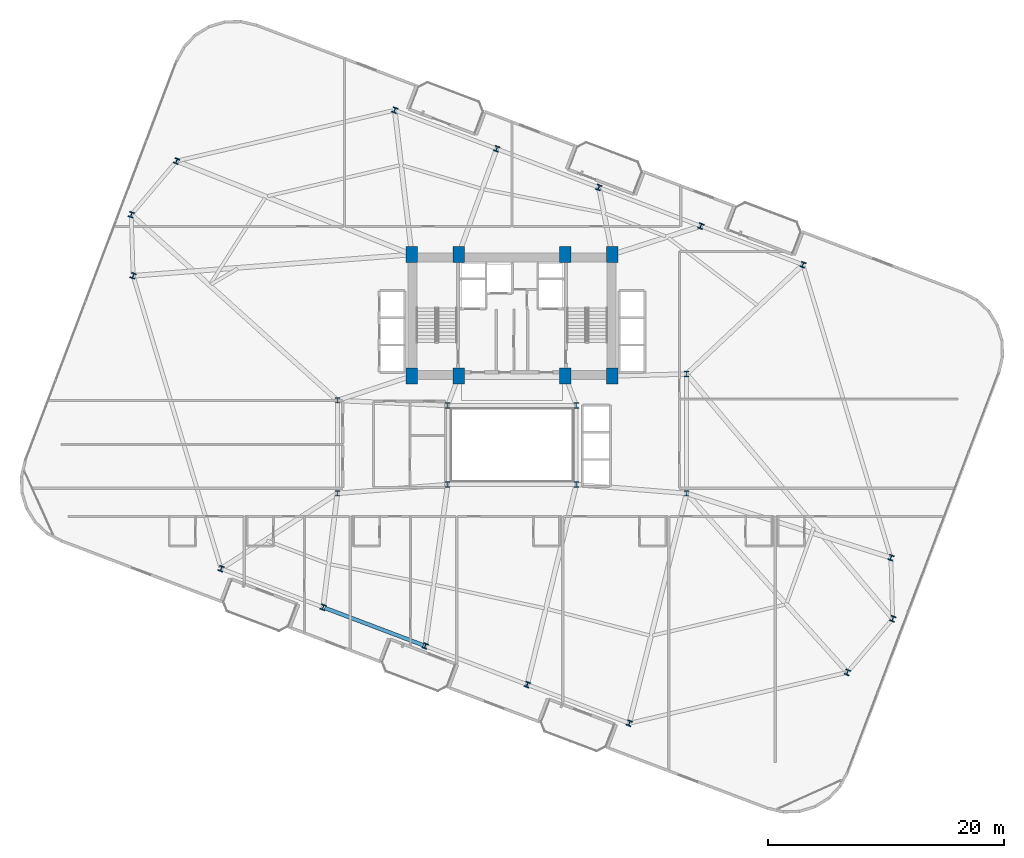
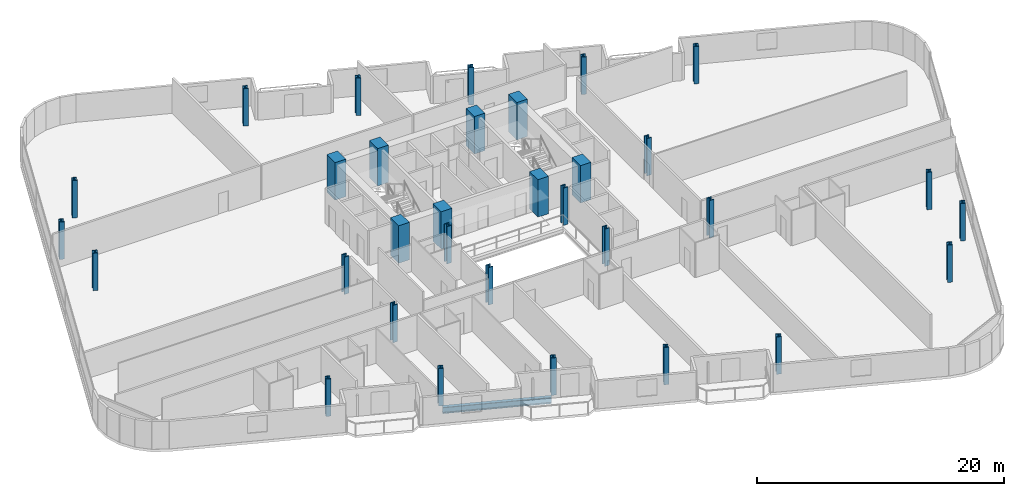
# One storey, part 1 of 25: 32 columns, 1 beam.
"""IFC4 building model written with IfcOpenShell, lengths in metres."""

from ifc_helpers import new_model, si_unit, direction, frame, origin, origin_2d, place, context, subcontext, project, spatial, rectangle, i_section, extrude, material, material_profile, profile_set, type_object, element, save


model = new_model("IFC4")

# Units and contexts
model_context = context("Model", 3, precision=1e-05, world=origin(), true_north=direction((0.0, 1.0)))
body_context = subcontext(model_context, "Body", "Model", "MODEL_VIEW")
ifc_project = project(units=[si_unit("LENGTHUNIT", "METRE"), si_unit("AREAUNIT", "SQUARE_METRE"), si_unit("VOLUMEUNIT", "CUBIC_METRE"), si_unit("PLANEANGLEUNIT", "RADIAN"), si_unit("MASSUNIT", "GRAM", prefix="KILO")], contexts=[model_context])

# Site, building, storey
site_placement = place(None, origin())
site = spatial("IfcSite", under=ifc_project, at=site_placement, CompositionType="ELEMENT")
building_placement = place(site_placement, origin())
building = spatial("IfcBuilding", under=site, at=building_placement, Name="Varnelok Gate Tower", CompositionType="ELEMENT")
storey_placement = place(building_placement, frame((0.0, 0.0, 76.199951171875)))
storey = spatial("IfcBuildingStorey", under=building, at=storey_placement, Name="L18", CompositionType="ELEMENT", Elevation=76.199951171875)

# Columns
ifc_material_1 = material(Name="Concrete C70/85", Category="concrete")
ifc_material_profile_1 = material_profile(ifc_material_1, rectangle(XDim=1.0, YDim=1.35009765625, at=origin_2d()), Name="RC1350X1000")
ifc_profile_set_1 = profile_set([ifc_material_profile_1], Name="Concrete C70/85")
column_type_1 = type_object("IfcColumnType", Name="COL-RC1350X1000", PredefinedType="COLUMN", material=ifc_profile_set_1)
for number, where, z_axis, x_axis, name in (
    (1, (30.699951171875, 28.75, 0.0), (0.0, 0.0, 1.0), (1.0, 0.0, 0.0), "L18 Core Spine Column SC1"),
    (2, (34.679931640625, 28.75, 0.0), (0.0, 0.0, 1.0), (1.0, 0.0, 0.0), "L18 Core Spine Column SC2"),
    (3, (43.719970703125, 28.75, 0.0), (0.0, 0.0, 1.0), (1.0, 0.0, 0.0), "L18 Core Spine Column SC3"),
    (4, (47.699951171875, 28.75, 0.0), (0.0, 0.0, 1.0), (1.0, 0.0, 0.0), "L18 Core Spine Column SC4"),
    (5, (30.699951171875, 39.050048828125, 0.0), (0.0, 0.0, 1.0), (1.0, 0.0, 0.0), "L18 Core Spine Column SC5"),
    (6, (34.679931640625, 39.050048828125, 0.0), (0.0, 0.0, 1.0), (1.0, 0.0, 0.0), "L18 Core Spine Column SC6"),
    (7, (43.719970703125, 39.050048828125, 0.0), (0.0, 0.0, 1.0), (1.0, 0.0, 0.0), "L18 Core Spine Column SC7"),
    (8, (47.699951171875, 39.050048828125, 0.0), (0.0, 0.0, 1.0), (1.0, 0.0, 0.0), "L18 Core Spine Column SC8"),
):
    element("IfcColumn", number, at=place(storey_placement, frame(where, z_axis=z_axis, x_axis=x_axis)), inside=storey, type_object=column_type_1, Name=name, PredefinedType="COLUMN", context=body_context, shape_type="SweptSolid", body=[
        extrude(rectangle(XDim=1.0, YDim=1.35009765625, at=origin_2d()), origin(), (0.0, 0.0, 1.0), 3.699951171875),
    ])
ifc_material_2 = material(Name="Structural Steel ASTM A992 Grade 50", Category="steel")
ifc_material_profile_2 = material_profile(ifc_material_2, i_section(OverallWidth=0.424072265625, OverallDepth=0.47412109375, WebThickness=0.047607421875, FlangeThickness=0.0771484375, FilletRadius=0.02490234375, at=origin_2d()), Name="W14X426")
ifc_profile_set_2 = profile_set([ifc_material_profile_2], Name="Structural Steel ASTM A992 Grade 50")
column_type_2 = type_object("IfcColumnType", Name="COL-W14X426", PredefinedType="COLUMN", material=ifc_profile_set_2)
for number, where, z_axis, x_axis, name in (
    (9, (33.75, 19.550048828125, 0.0), (0.0, 0.0, 1.0), (1.0, 0.0, 0.0), "L18 Atrium Spine Column AC1"),
    (10, (44.64990234375, 19.550048828125, 0.0), (0.0, 0.0, 1.0), (1.0, 0.0, 0.0), "L18 Atrium Spine Column AC2"),
    (11, (33.75, 26.25, 0.0), (0.0, 0.0, 1.0), (1.0, 0.0, 0.0), "L18 Atrium Spine Column AC3"),
    (12, (44.64990234375, 26.25, 0.0), (0.0, 0.0, 1.0), (1.0, 0.0, 0.0), "L18 Atrium Spine Column AC4"),
    (13, (24.39990234375, 18.800048828125, 0.0), (0.0, 0.0, 1.0), (1.0, 0.0, 0.0), "L18 Wing Spine Column WS1"),
    (14, (24.39990234375, 26.679931640625, 0.0), (0.0, 0.0, 1.0), (1.0, 0.0, 0.0), "L18 Wing Spine Column WS2"),
    (15, (54.0, 18.800048828125, 0.0), (0.0, 0.0, 1.0), (1.0, 0.0, 0.0), "L18 Wing Spine Column ES1"),
    (16, (54.0, 28.919921875, 0.0), (0.0, 0.0, 1.0), (1.0, 0.0, 0.0), "L18 Wing Spine Column ES2"),
    (17, (14.541015625, 12.416259765625, 0.0), (0.0, 0.0, 1.0), (0.935221751401, -0.354062530786, 0.0), "L18 B2 Perimeter Column PC01"),
    (18, (23.19189453125, 9.14111328125, 0.0), (0.0, 0.0, 1.0), (0.935221751401, -0.354062530786, 0.0), "L18 B2 Perimeter Column PC02"),
    (19, (31.842529296875, 5.8662109375, 0.0), (0.0, 0.0, 1.0), (0.935221751401, -0.354062530786, 0.0), "L18 B2 Perimeter Column PC03"),
    (20, (40.493408203125, 2.591064453125, 0.0), (0.0, 0.0, 1.0), (0.935221751401, -0.354062530786, 0.0), "L18 B2 Perimeter Column PC04"),
    (21, (49.144287109375, -0.68408203125, 0.0), (0.0, 0.0, 1.0), (0.935221751401, -0.354062530786, 0.0), "L18 B2 Perimeter Column PC05"),
    (22, (67.63671875, 3.627685546875, 0.0), (0.0, 0.0, 1.0), (0.935221751401, -0.354062530786, 0.0), "L18 B2 Perimeter Column PC06"),
    (23, (71.4765625, 8.172607421875, 0.0), (0.0, 0.0, 1.0), (0.935221751401, -0.354062530786, 0.0), "L18 B2 Perimeter Column PC07"),
    (24, (71.319091796875, 13.35400390625, 0.0), (0.0, 0.0, 1.0), (0.935221751401, -0.354062530786, 0.0), "L18 B2 Perimeter Column PC08"),
    (25, (63.85888671875, 38.183837890625, 0.0), (0.0, 0.0, 1.0), (0.935221751401, -0.354062530786, 0.0), "L18 B2 Perimeter Column PC09"),
    (26, (55.208251953125, 41.458740234375, 0.0), (0.0, 0.0, 1.0), (0.935221751401, -0.354062530786, 0.0), "L18 B2 Perimeter Column PC10"),
    (27, (46.557373046875, 44.73388671875, 0.0), (0.0, 0.0, 1.0), (0.935221751401, -0.354062530786, 0.0), "L18 B2 Perimeter Column PC11"),
    (28, (37.906494140625, 48.009033203125, 0.0), (0.0, 0.0, 1.0), (0.935221751401, -0.354062530786, 0.0), "L18 B2 Perimeter Column PC12"),
    (29, (29.255859375, 51.2841796875, 0.0), (0.0, 0.0, 1.0), (0.935221751401, -0.354062530786, 0.0), "L18 B2 Perimeter Column PC13"),
    (30, (10.76318359375, 46.972412109375, 0.0), (0.0, 0.0, 1.0), (0.935221751401, -0.354062530786, 0.0), "L18 B2 Perimeter Column PC14"),
    (31, (6.92333984375, 42.427490234375, 0.0), (0.0, 0.0, 1.0), (0.935221751401, -0.354062530786, 0.0), "L18 B2 Perimeter Column PC15"),
    (32, (7.0810546875, 37.24609375, 0.0), (0.0, 0.0, 1.0), (0.935221751401, -0.354062530786, 0.0), "L18 B2 Perimeter Column PC16"),
):
    element("IfcColumn", number, at=place(storey_placement, frame(where, z_axis=z_axis, x_axis=x_axis)), inside=storey, type_object=column_type_2, Name=name, PredefinedType="COLUMN", context=body_context, shape_type="SweptSolid", body=[
        extrude(i_section(OverallWidth=0.424072265625, OverallDepth=0.47412109375, WebThickness=0.047607421875, FlangeThickness=0.0771484375, FilletRadius=0.02490234375, at=origin_2d()), origin(), (0.0, 0.0, 1.0), 3.699951171875),
    ])

# Beam
ifc_material_profile_3 = material_profile(ifc_material_2, i_section(OverallWidth=0.323974609375, OverallDepth=0.611083984375, WebThickness=0.0126953125, FlangeThickness=0.01904296875, FilletRadius=0.01806640625, at=origin_2d()), Name="W24X104")
ifc_profile_set_3 = profile_set([ifc_material_profile_3], Name="Structural Steel ASTM A992 Grade 50")
beam_type = type_object("IfcBeamType", Name="BM-SPN-W24X104", PredefinedType="SPANDREL", material=ifc_profile_set_3)
beam_placement = place(storey_placement, frame((23.33203125, 9.088134765625, -0.555419921875), z_axis=(0.935220356141, -0.354066216208, 0.0), x_axis=(0.354066216208, 0.935220356141, 0.0)))
element("IfcBeam", 33, at=beam_placement, inside=storey, type_object=beam_type, Name="L18 Perimeter Spandrel Beam 2", PredefinedType="SPANDREL", context=body_context, shape_type="SweptSolid", body=[
    extrude(i_section(OverallWidth=0.323974609375, OverallDepth=0.611083984375, WebThickness=0.0126953125, FlangeThickness=0.01904296875, FilletRadius=0.01806640625, at=origin_2d()), origin(), (0.0, 0.0, 1.0), 8.9501953125),
])

save(model, "model.ifc")
